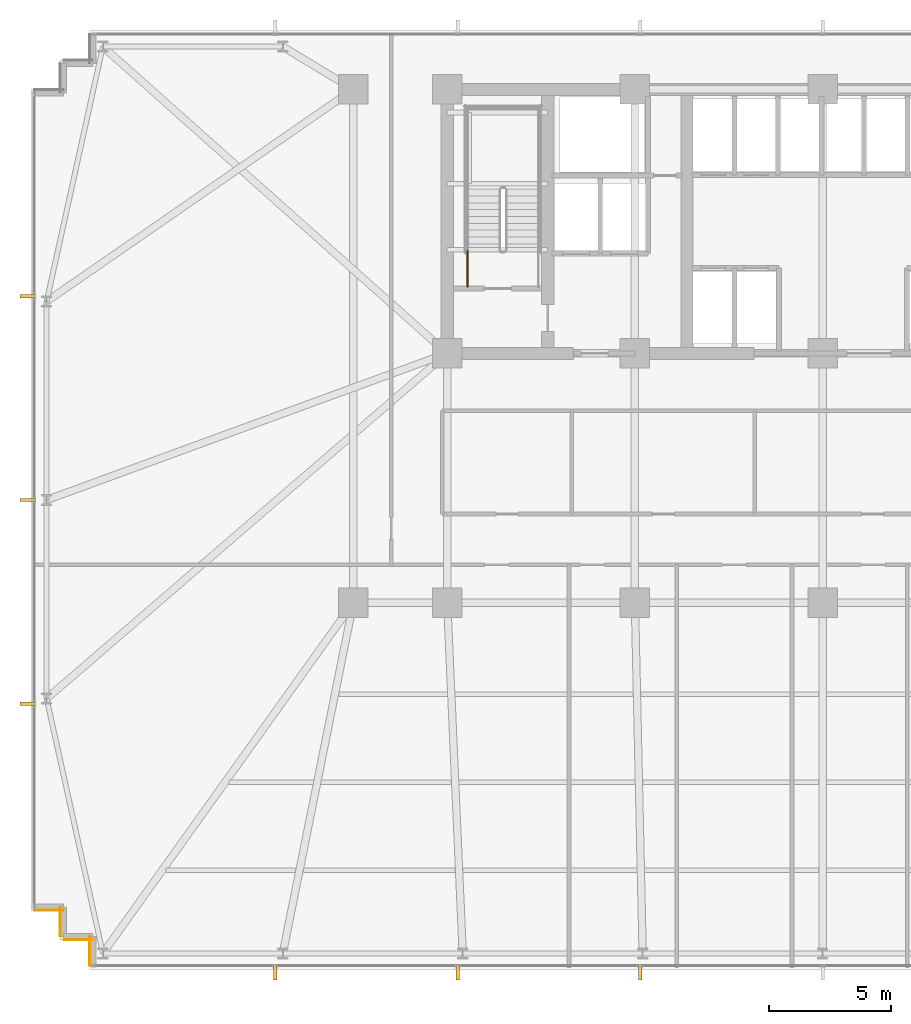
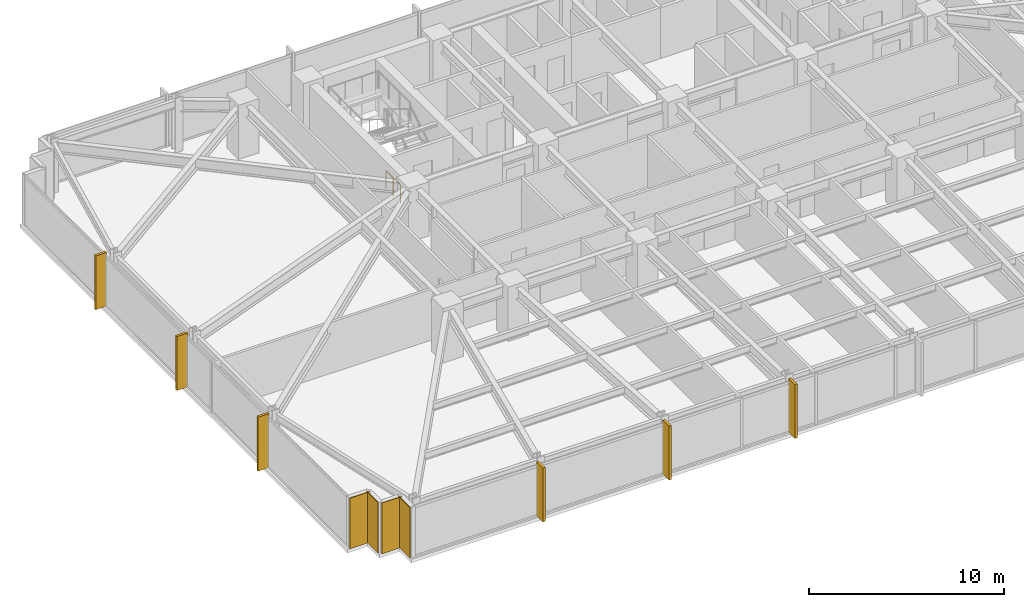
# One storey, part 27 of 32: 6 shading devices, 4 coverings, 1 railing.
"""IFC4 building model written with IfcOpenShell, lengths in metres."""

import ifcopenshell
import ifcopenshell.guid

model = None  # the IFC model being written
_history = None  # IfcOwnerHistory: only IFC2X3 demands one
_inside = {}  # id of a spatial element -> (the spatial element, [elements in it])
_under = {}  # id of a project, library or spatial element -> (it, [spatial elements below it])
_declared = {}  # id of a project -> (the project, [libraries it declares])
_typed = {}  # id of a type object -> (the type object, [elements of that type])
_made_of = {}  # id of a material, layer set ... -> (it, [elements and type objects made of it])


def new_model(schema):
    """Start an empty IFC model of exactly this schema.

    Asked for "IFC4X3", IfcOpenShell would pick the latest addendum, in which some entities
    have other attributes; the version numbers below select the first issue.
    IFC2X3 requires an IfcOwnerHistory on every rooted entity: one is made here for all.
    """
    global model, _history
    if schema == "IFC4X3":
        model = ifcopenshell.file(schema_version=(4, 3, 0, 0))
    else:
        model = ifcopenshell.file(schema=schema)
    _inside.clear()
    _under.clear()
    _declared.clear()
    _typed.clear()
    _made_of.clear()
    _history = None
    if model.schema == "IFC2X3":
        org = make("IfcOrganization", Name="unknown")
        user = make(
            "IfcPersonAndOrganization",
            ThePerson=make("IfcPerson", FamilyName="unknown"),
            TheOrganization=org,
        )
        app = make(
            "IfcApplication",
            ApplicationDeveloper=org,
            Version="unknown",
            ApplicationFullName="unknown",
            ApplicationIdentifier="unknown",
        )
        _history = make(
            "IfcOwnerHistory",
            OwningUser=user,
            OwningApplication=app,
            ChangeAction="ADDED",
            CreationDate=0,
        )
    return model


def make(cls, **values):
    """One entity of the class cls with the attributes given. An attribute that is None is left unset."""
    return model.create_entity(
        cls, **{name: value for name, value in values.items() if value is not None}
    )


def rooted(cls, **values):
    """An entity with a GlobalId (a new one), such as an element, a storey or a relation."""
    return make(cls, GlobalId=ifcopenshell.guid.new(), OwnerHistory=_history, **values)


def si_unit(unit_type, name, prefix=None):
    """IfcSIUnit, for example si_unit("LENGTHUNIT", "METRE", prefix="MILLI")."""
    return make("IfcSIUnit", UnitType=unit_type, Prefix=prefix, Name=name)


def assignment(units):
    """IfcUnitAssignment: the units of a project."""
    return None if units is None else make("IfcUnitAssignment", Units=units)


def point(xyz):
    """IfcCartesianPoint."""
    return None if xyz is None else make("IfcCartesianPoint", Coordinates=xyz)


def direction(xyz):
    """IfcDirection."""
    return None if xyz is None else make("IfcDirection", DirectionRatios=xyz)


def frame(location, z_axis=None, x_axis=None):
    """IfcAxis2Placement3D, a coordinate frame: its origin and axes. An axis left out is left unset."""
    return make(
        "IfcAxis2Placement3D",
        Location=point(location),
        Axis=direction(z_axis),
        RefDirection=direction(x_axis),
    )


def frame_2d(location, x_axis=None):
    """IfcAxis2Placement2D, a coordinate frame in the plane: its origin and x axis."""
    return make(
        "IfcAxis2Placement2D", Location=point(location), RefDirection=direction(x_axis)
    )


def origin():
    """The frame at (0, 0, 0) with its axes left unset."""
    return frame((0.0, 0.0, 0.0))


def origin_2d():
    """The frame at (0, 0) in the plane with its x axis left unset."""
    return frame_2d((0.0, 0.0))


def place(relative_to, where):
    """IfcLocalPlacement: puts the frame where relative to a parent placement (None: the world)."""
    return make(
        "IfcLocalPlacement", PlacementRelTo=relative_to, RelativePlacement=where
    )


def context(
    kind, dimensions, precision=None, world=None, true_north=None, identifier=None
):
    """IfcGeometricRepresentationContext, for example the 3D "Model" context."""
    return make(
        "IfcGeometricRepresentationContext",
        ContextIdentifier=identifier,
        ContextType=kind,
        CoordinateSpaceDimension=dimensions,
        Precision=precision,
        WorldCoordinateSystem=world,
        TrueNorth=true_north,
    )


def subcontext(parent, identifier, kind, view, scale=None):
    """IfcGeometricRepresentationSubContext, for example "Body" below "Model"."""
    return make(
        "IfcGeometricRepresentationSubContext",
        ContextIdentifier=identifier,
        ContextType=kind,
        ParentContext=parent,
        TargetScale=scale,
        TargetView=view,
    )


def project(units=None, contexts=None):
    """IfcProject with its units and contexts."""
    return rooted(
        "IfcProject",
        Name="project",
        RepresentationContexts=contexts,
        UnitsInContext=assignment(units),
    )


def spatial(cls, under=None, at=None, **own):
    """A site, building, storey or space (cls), placed at a placement, below another one or the project."""
    s = rooted(cls, ObjectPlacement=at, **own)
    if under is not None:
        _under.setdefault(under.id(), (under, []))[1].append(s)
    return s


def profile(cls, at=None, kind="AREA", **sizes):
    """A parametric profile (cls). Its sizes go by their IFC names, for example OverallWidth=200.0."""
    return make(cls, ProfileType=kind, Position=at, **sizes)


def rectangle(**sizes):
    """IfcRectangleProfileDef."""
    return profile("IfcRectangleProfileDef", **sizes)


def circle(**sizes):
    """IfcCircleProfileDef."""
    return profile("IfcCircleProfileDef", **sizes)


def extrude(swept, where, along, depth):
    """IfcExtrudedAreaSolid: the profile swept, set in the frame where, extruded along a direction by depth."""
    return make(
        "IfcExtrudedAreaSolid",
        SweptArea=swept,
        Position=where,
        ExtrudedDirection=direction(along),
        Depth=depth,
    )


def shape(context_of_items, identifier, shape_type, items):
    """IfcShapeRepresentation: the items that make up one representation, for example the "Body"."""
    return make(
        "IfcShapeRepresentation",
        ContextOfItems=context_of_items,
        RepresentationIdentifier=identifier,
        RepresentationType=shape_type,
        Items=items,
    )


def material(Name=None, Category=None):
    """IfcMaterial."""
    return make("IfcMaterial", Name=Name, Category=Category)


def layer(
    of_material, thickness, ventilated=None, Name=None, Category=None, Priority=None
):
    """IfcMaterialLayer: one layer of a wall or slab, of a material (None: an air gap)."""
    return make(
        "IfcMaterialLayer",
        Material=of_material,
        LayerThickness=thickness,
        IsVentilated=ventilated,
        Name=Name,
        Category=Category,
        Priority=Priority,
    )


def layer_set(layers, Name=None):
    """IfcMaterialLayerSet."""
    return make("IfcMaterialLayerSet", MaterialLayers=layers, LayerSetName=Name)


def made_of(thing, what):
    """Note that an element or type object is made of a material, layer set ...; save() writes the relation."""
    if what is not None:
        _made_of.setdefault(what.id(), (what, []))[1].append(thing)
    return thing


def type_object(cls, material=None, **own):
    """A type object (cls), such as IfcWallType, which elements share."""
    return made_of(rooted(cls, **own), material)


def element(
    cls,
    number,
    at=None,
    inside=None,
    cuts=None,
    type_object=None,
    material=None,
    context=None,
    identifier="Body",
    shape_type=None,
    held_by="IfcProductDefinitionShape",
    body=None,
    shapes=None,
    **own,
):
    """One element of the class cls, such as IfcWall. Its Tag is "e" and its number.

    at: its placement. inside: the storey or other place that contains it. cuts: it is an
    opening in that element (IfcRelVoidsElement). A single representation is given by context,
    identifier, shape_type and body (its items); several are given by shapes. held_by: the class
    of the entity that holds the representations. save() writes the other relations.
    """
    e = rooted(cls, Tag="e%d" % number, ObjectPlacement=at, **own)
    if body is not None:
        shapes = [shape(context, identifier, shape_type, body)]
    if shapes is not None:
        e.Representation = make(held_by, Representations=shapes)
    if inside is not None:
        _inside.setdefault(inside.id(), (inside, []))[1].append(e)
    if cuts is not None:
        rooted(
            "IfcRelVoidsElement", RelatingBuildingElement=cuts, RelatedOpeningElement=e
        )
    if type_object is not None:
        _typed.setdefault(type_object.id(), (type_object, []))[1].append(e)
    return made_of(e, material)


def aggregate(whole, parts):
    """IfcRelAggregates: a whole, such as a stair, and the parts it consists of."""
    return rooted("IfcRelAggregates", RelatingObject=whole, RelatedObjects=parts)


def save(model, path):
    """Write the relations noted so far, then the file.

    IfcRelAggregates (storeys below a building ...), IfcRelContainedInSpatialStructure (elements
    in a storey), IfcRelDefinesByType, IfcRelAssociatesMaterial and IfcRelDeclares: one each for
    every whole, place, type object, material and project.
    """
    for whole, parts in _under.values():
        aggregate(whole, parts)
    for where, things in _inside.values():
        rooted(
            "IfcRelContainedInSpatialStructure",
            RelatedElements=things,
            RelatingStructure=where,
        )
    for kind, things in _typed.values():
        rooted("IfcRelDefinesByType", RelatedObjects=things, RelatingType=kind)
    for what, things in _made_of.values():
        rooted("IfcRelAssociatesMaterial", RelatedObjects=things, RelatingMaterial=what)
    for by, libraries in _declared.values():
        rooted("IfcRelDeclares", RelatingContext=by, RelatedDefinitions=libraries)
    model.write(path)


model = new_model("IFC4")

# Units and contexts
model_context = context("Model", 3, precision=1e-05, world=origin(), true_north=direction((0.0, 1.0)))
body_context = subcontext(model_context, "Body", "Model", "MODEL_VIEW")
ifc_project = project(units=[si_unit("LENGTHUNIT", "METRE"), si_unit("AREAUNIT", "SQUARE_METRE"), si_unit("VOLUMEUNIT", "CUBIC_METRE"), si_unit("PLANEANGLEUNIT", "RADIAN"), si_unit("MASSUNIT", "GRAM", prefix="KILO")], contexts=[model_context])

# Site, building, storey
site_placement = place(None, origin())
site = spatial("IfcSite", under=ifc_project, at=site_placement, CompositionType="ELEMENT")
building_placement = place(site_placement, origin())
building = spatial("IfcBuilding", under=site, at=building_placement, Name="Yelkora Congress Tower", CompositionType="ELEMENT")
storey_placement = place(building_placement, frame((0.0, 0.0, 61.0)))
storey = spatial("IfcBuildingStorey", under=building, at=storey_placement, Name="L15", CompositionType="ELEMENT", Elevation=61.0)

# Coverings
ifc_material_1 = material(Name="Anatolian bush-hammered limestone", Category="masonry")
ifc_layer_1 = layer(ifc_material_1, 0.0400390625)
ifc_layer_set_1 = layer_set([ifc_layer_1], Name="Anatolian bush-hammered limestone")
covering_type = type_object("IfcCoveringType", Name="COV-CLAD-SPANDREL-40", PredefinedType="CLADDING", material=ifc_layer_set_1)
for number, where, z_axis, x_axis, name in (
    (1, (8.405029296875, 10.340087890625, 0.0), (0.0, 0.0, 1.0), (0.0, 1.0, 0.0), "L15 Anatolian Limestone Cladding EW-L15-SR01"),
    (2, (8.5400390625, 11.405029296875, 0.0), (0.0, 0.0, 1.0), (-1.0, 0.0, 0.0), "L15 Anatolian Limestone Cladding EW-L15-SR02"),
    (3, (7.205078125, 11.5400390625, 0.0), (0.0, 0.0, 1.0), (0.0, 1.0, 0.0), "L15 Anatolian Limestone Cladding EW-L15-SR03"),
):
    element("IfcCovering", number, at=place(storey_placement, frame(where, z_axis=z_axis, x_axis=x_axis)), inside=storey, type_object=covering_type, Name=name, PredefinedType="CLADDING", context=body_context, shape_type="SweptSolid", body=[
        extrude(rectangle(XDim=1.199951171875, YDim=0.0400390625, at=frame_2d((0.60009765625, 0.0))), origin(), (0.0, 0.0, 1.0), 3.179931640625),
    ])
covering_placement = place(storey_placement, frame((7.340087890625, 12.60498046875, 0.0), z_axis=(0.0, 0.0, 1.0), x_axis=(-1.0, 0.0, 0.0)))
element("IfcCovering", 4, at=covering_placement, inside=storey, type_object=covering_type, Name="L15 Anatolian Limestone Cladding EW-L15-SR04", PredefinedType="CLADDING", context=body_context, shape_type="SweptSolid", body=[
    extrude(rectangle(XDim=1.2001953125, YDim=0.0400390625, at=frame_2d((0.60009765625, 0.0))), origin(), (0.0, 0.0, 1.0), 3.179931640625),
])

# Railing
ifc_material_2 = material(Name="Painted galvanised steel stair well guard with vertical infill", Category="steel")
ifc_layer_2 = layer(ifc_material_2, 0.06005859375)
ifc_layer_set_2 = layer_set([ifc_layer_2], Name="Painted galvanised steel stair well guard with vertical infill")
railing_type = type_object("IfcRailingType", Name="RAIL-STAIR-GUARD-1120", PredefinedType="GUARDRAIL", material=ifc_layer_set_2)
railing_placement = place(storey_placement, frame((23.8701171875, 38.1201171875, 0.0)))
element("IfcRailing", 5, at=railing_placement, inside=storey, type_object=railing_type, Name="ST-01 L15 Stair Well Guardrail 9", PredefinedType="GUARDRAIL", context=body_context, shape_type="SweptSolid", body=[
    extrude(circle(Radius=0.02392578125, at=origin_2d()), frame((0.0, 0.0, 1.09619140625), z_axis=(0.0, 1.0, 0.0), x_axis=(-1.0, 0.0, 0.0)), (0.0, 0.0, 1.0), 1.47998046875),
    extrude(circle(Radius=0.02099609375, at=origin_2d()), origin(), (0.0, 0.0, 1.0), 1.072021484375),
    extrude(circle(Radius=0.02099609375, at=origin_2d()), frame((0.0, 0.739990234375, 0.0)), (0.0, 0.0, 1.0), 1.072021484375),
    extrude(circle(Radius=0.02099609375, at=origin_2d()), frame((0.0, 1.47998046875, 0.0)), (0.0, 0.0, 1.0), 1.072021484375),
])

# Shading devices
ifc_material_3 = material(Name="Champagne anodised aluminium", Category="aluminium")
ifc_layer_3 = layer(ifc_material_3, 3.39990234375)
ifc_layer_set_3 = layer_set([ifc_layer_3], Name="Champagne anodised aluminium")
shading_device_type = type_object("IfcShadingDeviceType", Name="SHD-FIN-ALU-640", PredefinedType="USERDEFINED", material=ifc_layer_set_3)
for number, where, z_axis, x_axis, name in (
    (6, (5.8798828125, 21.070068359375, -0.030029296875), (0.0, 0.0, 1.0), (0.0, 1.0, 0.0), "L15 Vertical Anodised Solar Fin 5-1"),
    (7, (5.8798828125, 29.39990234375, -0.030029296875), (0.0, 0.0, 1.0), (0.0, 1.0, 0.0), "L15 Vertical Anodised Solar Fin 5-2"),
    (8, (5.8798828125, 37.72998046875, -0.030029296875), (0.0, 0.0, 1.0), (0.0, 1.0, 0.0), "L15 Vertical Anodised Solar Fin 5-3"),
    (9, (30.93505859375, 10.080078125, -0.030029296875), (0.0, 0.0, 1.0), (-1.0, 0.0, 0.0), "L15 Vertical Anodised Solar Fin 20-5"),
    (10, (23.469970703125, 10.080078125, -0.030029296875), (0.0, 0.0, 1.0), (-1.0, 0.0, 0.0), "L15 Vertical Anodised Solar Fin 20-6"),
    (11, (16.0048828125, 10.080078125, -0.030029296875), (0.0, 0.0, 1.0), (-1.0, 0.0, 0.0), "L15 Vertical Anodised Solar Fin 20-7"),
):
    element("IfcShadingDevice", number, at=place(storey_placement, frame(where, z_axis=z_axis, x_axis=x_axis)), inside=storey, type_object=shading_device_type, Name=name, ObjectType="FIN", PredefinedType="USERDEFINED", context=body_context, shape_type="SweptSolid", body=[
        extrude(rectangle(XDim=0.139892578125, YDim=0.639892578125, at=origin_2d()), origin(), (0.0, 0.0, 1.0), 3.3798828125),
    ])

save(model, "model.ifc")
